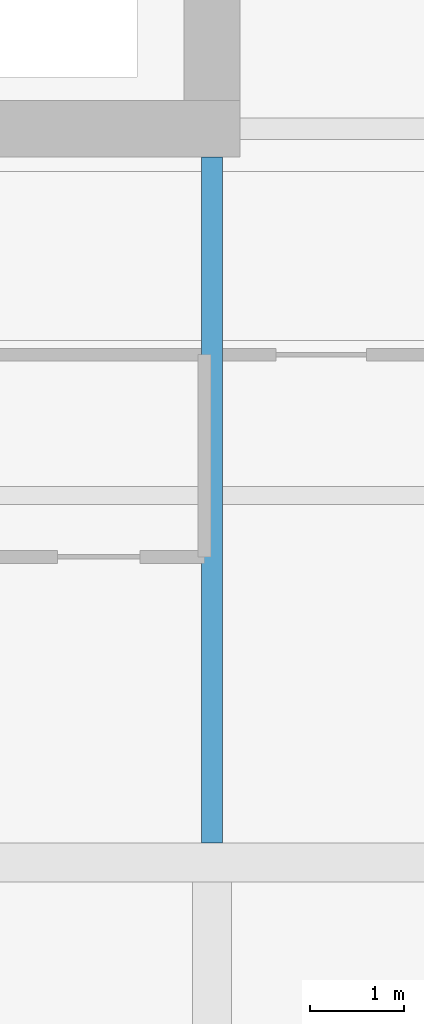
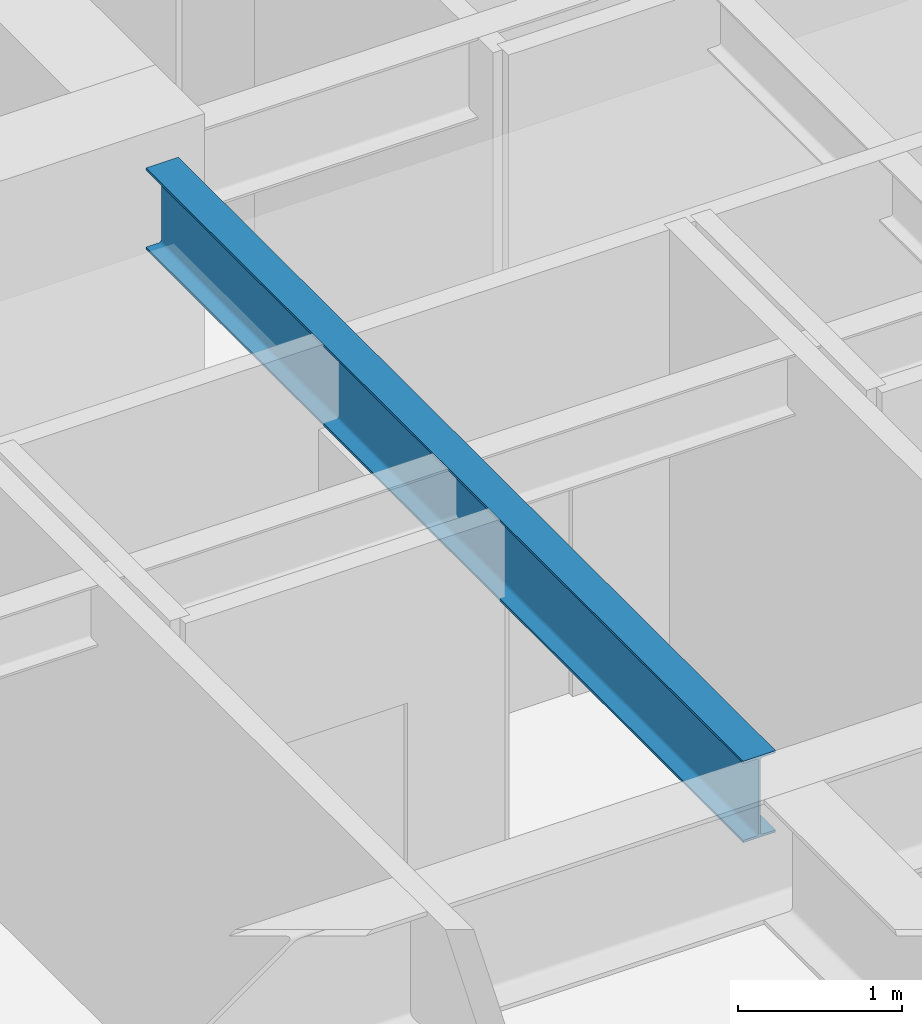
# One storey, part 12 of 39: 1 beam.
"""IFC4 building model written with IfcOpenShell, lengths in metres."""

from ifc_helpers import new_model, si_unit, direction, frame, origin, origin_2d, place, context, subcontext, project, spatial, i_section, extrude, material, material_profile, profile_set, type_object, element, save


model = new_model("IFC4")

# Units and contexts
model_context = context("Model", 3, precision=1e-05, world=origin(), true_north=direction((0.0, 1.0)))
body_context = subcontext(model_context, "Body", "Model", "MODEL_VIEW")
ifc_project = project(units=[si_unit("LENGTHUNIT", "METRE"), si_unit("AREAUNIT", "SQUARE_METRE"), si_unit("VOLUMEUNIT", "CUBIC_METRE"), si_unit("PLANEANGLEUNIT", "RADIAN"), si_unit("MASSUNIT", "GRAM", prefix="KILO")], contexts=[model_context])

# Site, building, storey
site_placement = place(None, origin())
site = spatial("IfcSite", under=ifc_project, at=site_placement, CompositionType="ELEMENT")
building_placement = place(site_placement, origin())
building = spatial("IfcBuilding", under=site, at=building_placement, Name="Drelvath Grand Hotel", CompositionType="ELEMENT")
storey_placement = place(building_placement, frame((0.0, 0.0, 36.699951171875)))
storey = spatial("IfcBuildingStorey", under=building, at=storey_placement, Name="L07", CompositionType="ELEMENT", Elevation=36.699951171875)

# Beam
ifc_material = material(Name="Steel ASTM A992 Gr 50", Category="steel")
ifc_material_profile = material_profile(ifc_material, i_section(OverallWidth=0.228271484375, OverallDepth=0.607666015625, WebThickness=0.01123046875, FlangeThickness=0.017333984375, FilletRadius=0.02001953125, at=origin_2d()), Name="W24X76")
ifc_profile_set = profile_set([ifc_material_profile], Name="Steel ASTM A992 Gr 50")
beam_type = type_object("IfcBeamType", Name="Primary Floor Girder W24X76", PredefinedType="BEAM", material=ifc_profile_set)
beam_placement = place(storey_placement, frame((8.39990234375, 11.00927734375, 2.936279296875), z_axis=(0.0, 1.0, 0.0), x_axis=(-1.0, 0.0, 0.0)))
element("IfcBeam", 1, at=beam_placement, inside=storey, type_object=beam_type, Name="L07 South Core Tie 6", PredefinedType="BEAM", context=body_context, shape_type="SweptSolid", body=[
    extrude(i_section(OverallWidth=0.228271484375, OverallDepth=0.607666015625, WebThickness=0.01123046875, FlangeThickness=0.017333984375, FilletRadius=0.02001953125, at=origin_2d()), origin(), (0.0, 0.0, 1.0), 7.290771484375),
])

save(model, "model.ifc")
